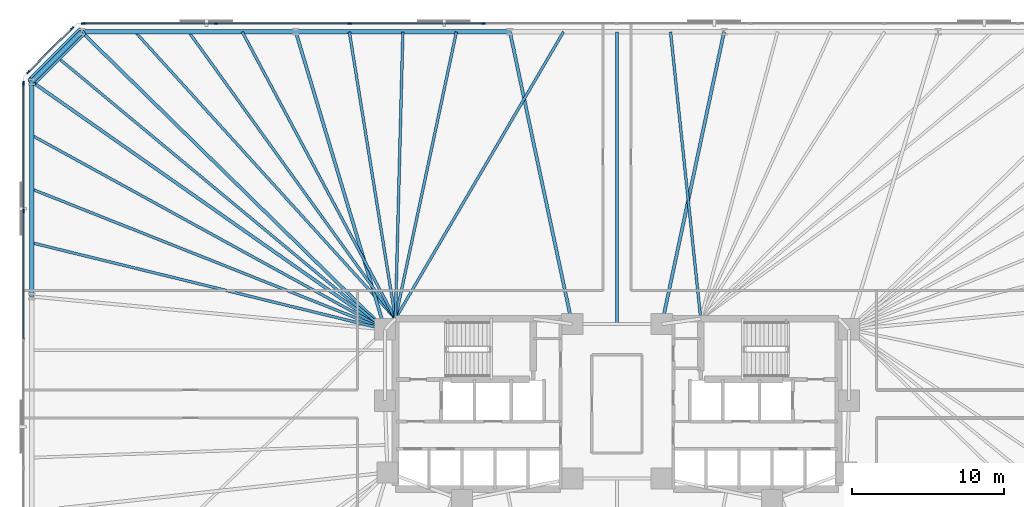
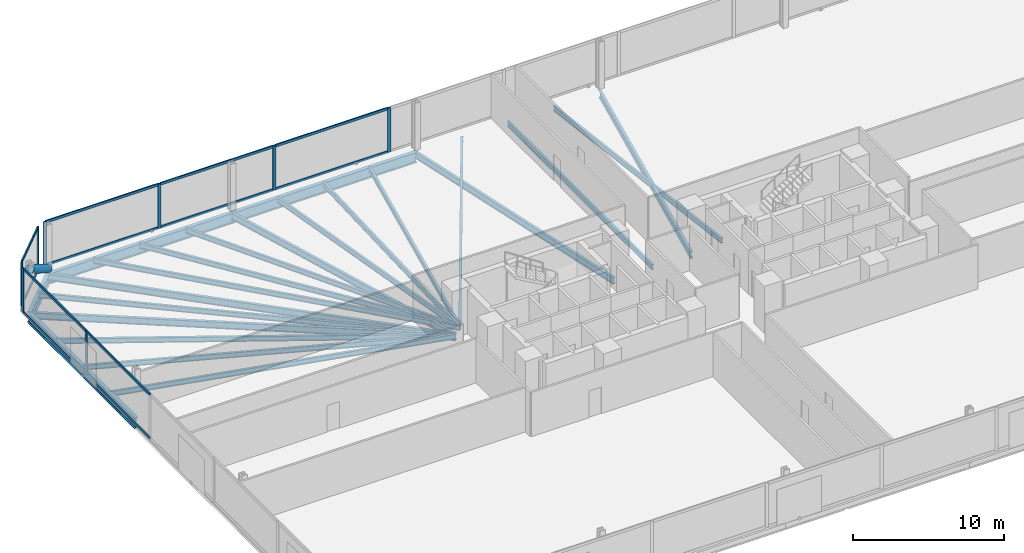
# One storey, part 8 of 16: 22 beams, 21 members, 3 elements without a shape of their own.
"""IFC4 building model written with IfcOpenShell, lengths in metres."""

from ifc_helpers import new_model, si_unit, direction, frame, origin, origin_2d, place, context, subcontext, project, spatial, rectangle, hollow_circle, i_section, extrude, material, material_profile, profile_set, type_object, element, aggregate, save


model = new_model("IFC4")

# Units and contexts
model_context = context("Model", 3, precision=1e-05, world=origin(), true_north=direction((0.0, 1.0)))
body_context = subcontext(model_context, "Body", "Model", "MODEL_VIEW")
ifc_project = project(units=[si_unit("LENGTHUNIT", "METRE"), si_unit("AREAUNIT", "SQUARE_METRE"), si_unit("VOLUMEUNIT", "CUBIC_METRE"), si_unit("PLANEANGLEUNIT", "RADIAN"), si_unit("MASSUNIT", "GRAM", prefix="KILO")], contexts=[model_context])

# Site, building, storey
site_placement = place(None, origin())
site = spatial("IfcSite", under=ifc_project, at=site_placement, CompositionType="ELEMENT")
building_placement = place(site_placement, origin())
building = spatial("IfcBuilding", under=site, at=building_placement, Name="Menara Jurai Vektor", CompositionType="ELEMENT")
storey_placement = place(building_placement, frame((0.0, 0.0, 40.800048828125)))
storey = spatial("IfcBuildingStorey", under=building, at=storey_placement, Name="L09", CompositionType="ELEMENT", Elevation=40.800048828125)

# Curtain wall, members
ifc_material_1 = material(Name="Anodised Pale Aluminium & Low-E Double Glazing", Category="aluminium")
curtain_wall_type = type_object("IfcCurtainWallType", Name="CW-BLK1", PredefinedType="NOTDEFINED", material=ifc_material_1)
curtain_wall_1_placement = place(storey_placement, origin())
curtain_wall_1 = element("IfcCurtainWall", 1, at=curtain_wall_1_placement, inside=storey, type_object=curtain_wall_type, Name="Unitised Curtain Wall L09 F05", PredefinedType="NOTDEFINED")
ifc_material_2 = material(Name="Anodised Pale Aluminium Mullion", Category="aluminium")
ifc_material_profile_1 = material_profile(ifc_material_2, rectangle(XDim=0.094970703125, YDim=0.239990234375, at=origin_2d()), Name="ALU MUL 95x240")
ifc_profile_set_1 = profile_set([ifc_material_profile_1], Name="Anodised Pale Aluminium Mullion")
member_type_1 = type_object("IfcMemberType", Name="CW-BLK1-MUL", PredefinedType="MULLION", material=ifc_profile_set_1)
member_1_placement = place(storey_placement, frame((-8.780029296875, 25.0, 0.0), z_axis=(0.0, 0.0, 1.0), x_axis=(0.0, -1.0, 0.0)))
member_1 = element("IfcMember", 2, at=member_1_placement, type_object=member_type_1, Name="CW-01 mullion 6", PredefinedType="MULLION", context=body_context, shape_type="SweptSolid", body=[
    extrude(rectangle(XDim=0.094970703125, YDim=0.239990234375, at=origin_2d()), origin(), (0.0, 0.0, 1.0), 3.574951171875),
])
member_2_placement = place(storey_placement, frame((-17.56005859375, 25.0, 0.0), z_axis=(0.0, 0.0, 1.0), x_axis=(0.0, -1.0, 0.0)))
member_2 = element("IfcMember", 3, at=member_2_placement, type_object=member_type_1, Name="CW-01 mullion 7", PredefinedType="MULLION", context=body_context, shape_type="SweptSolid", body=[
    extrude(rectangle(XDim=0.094970703125, YDim=0.239990234375, at=origin_2d()), origin(), (0.0, 0.0, 1.0), 3.574951171875),
])
member_3_placement = place(storey_placement, frame((-26.340087890625, 25.0, 0.0), z_axis=(0.0, 0.0, 1.0), x_axis=(0.0, -1.0, 0.0)))
member_3 = element("IfcMember", 4, at=member_3_placement, type_object=member_type_1, Name="CW-01 mullion 8", PredefinedType="MULLION", context=body_context, shape_type="SweptSolid", body=[
    extrude(rectangle(XDim=0.094970703125, YDim=0.239990234375, at=origin_2d()), origin(), (0.0, 0.0, 1.0), 3.574951171875),
])
member_4_placement = place(storey_placement, frame((-35.072509765625, 25.0, 0.0), z_axis=(0.0, 0.0, 1.0), x_axis=(0.0, -1.0, 0.0)))
member_4 = element("IfcMember", 5, at=member_4_placement, type_object=member_type_1, Name="CW-01 mullion 9", PredefinedType="MULLION", context=body_context, shape_type="SweptSolid", body=[
    extrude(rectangle(XDim=0.094970703125, YDim=0.239990234375, at=origin_2d()), origin(), (0.0, 0.0, 1.0), 3.574951171875),
])

curtain_wall_2_placement = place(storey_placement, origin())
curtain_wall_2 = element("IfcCurtainWall", 6, at=curtain_wall_2_placement, inside=storey, type_object=curtain_wall_type, Name="Unitised Curtain Wall L09 F06", PredefinedType="NOTDEFINED")
member_5_placement = place(storey_placement, frame((-35.80224609375, 24.69775390625, 0.0), z_axis=(0.0, 0.0, 1.0), x_axis=(0.707106781187, -0.707106781187, 0.0)))
member_5 = element("IfcMember", 7, at=member_5_placement, type_object=member_type_1, Name="CW-01 mullion 1", PredefinedType="MULLION", context=body_context, shape_type="SweptSolid", body=[
    extrude(rectangle(XDim=0.094970703125, YDim=0.239990234375, at=origin_2d()), origin(), (0.0, 0.0, 1.0), 3.574951171875),
])
member_6_placement = place(storey_placement, frame((-38.69775390625, 21.80224609375, 0.0), z_axis=(0.0, 0.0, 1.0), x_axis=(0.707106781187, -0.707106781187, 0.0)))
member_6 = element("IfcMember", 8, at=member_6_placement, type_object=member_type_1, Name="CW-01 mullion 2", PredefinedType="MULLION", context=body_context, shape_type="SweptSolid", body=[
    extrude(rectangle(XDim=0.094970703125, YDim=0.239990234375, at=origin_2d()), origin(), (0.0, 0.0, 1.0), 3.574951171875),
])

curtain_wall_3_placement = place(storey_placement, origin())
curtain_wall_3 = element("IfcCurtainWall", 9, at=curtain_wall_3_placement, inside=storey, type_object=curtain_wall_type, Name="Unitised Curtain Wall L09 F07", PredefinedType="NOTDEFINED")
member_7_placement = place(storey_placement, frame((-39.0, 21.072509765625, 0.0), z_axis=(0.0, 0.0, 1.0), x_axis=(1.0, 0.0, 0.0)))
member_7 = element("IfcMember", 10, at=member_7_placement, type_object=member_type_1, Name="CW-01 mullion 1", PredefinedType="MULLION", context=body_context, shape_type="SweptSolid", body=[
    extrude(rectangle(XDim=0.094970703125, YDim=0.239990234375, at=origin_2d()), origin(), (0.0, 0.0, 1.0), 3.574951171875),
])
member_8_placement = place(storey_placement, frame((-39.0, 12.672119140625, 0.0), z_axis=(0.0, 0.0, 1.0), x_axis=(1.0, 0.0, 0.0)))
member_8 = element("IfcMember", 11, at=member_8_placement, type_object=member_type_1, Name="CW-01 mullion 2", PredefinedType="MULLION", context=body_context, shape_type="SweptSolid", body=[
    extrude(rectangle(XDim=0.094970703125, YDim=0.239990234375, at=origin_2d()), origin(), (0.0, 0.0, 1.0), 3.574951171875),
])

# Member
ifc_material_3 = material(Name="Anodised Pale Aluminium Transom", Category="aluminium")
ifc_material_profile_2 = material_profile(ifc_material_3, rectangle(XDim=0.094970703125, YDim=0.199951171875, at=origin_2d()), Name="ALU TRN 95x200")
ifc_profile_set_2 = profile_set([ifc_material_profile_2], Name="Anodised Pale Aluminium Transom")
member_type_2 = type_object("IfcMemberType", Name="CW-BLK1-TRN", PredefinedType="USERDEFINED", material=ifc_profile_set_2)
member_9_placement = place(storey_placement, frame((-8.827392578125, 25.0, 0.04736328125), z_axis=(-1.0, 0.0, 0.0), x_axis=(0.0, -1.0, 0.0)))
member_9 = element("IfcMember", 12, at=member_9_placement, type_object=member_type_2, Name="CW-01 transom 6.1", ObjectType="TRANSOM", PredefinedType="USERDEFINED", context=body_context, shape_type="SweptSolid", body=[
    extrude(rectangle(XDim=0.094970703125, YDim=0.199951171875, at=origin_2d()), origin(), (0.0, 0.0, 1.0), 8.68505859375),
])

member_10_placement = place(storey_placement, frame((-8.827392578125, 25.0, 3.52734375), z_axis=(-1.0, 0.0, 0.0), x_axis=(0.0, -1.0, 0.0)))
member_10 = element("IfcMember", 13, at=member_10_placement, type_object=member_type_2, Name="CW-01 transom 6.2", ObjectType="TRANSOM", PredefinedType="USERDEFINED", context=body_context, shape_type="SweptSolid", body=[
    extrude(rectangle(XDim=0.094970703125, YDim=0.199951171875, at=origin_2d()), origin(), (0.0, 0.0, 1.0), 8.68505859375),
])

member_11_placement = place(storey_placement, frame((-17.607421875, 25.0, 0.04736328125), z_axis=(-1.0, 0.0, 0.0), x_axis=(0.0, -1.0, 0.0)))
member_11 = element("IfcMember", 14, at=member_11_placement, type_object=member_type_2, Name="CW-01 transom 7.1", ObjectType="TRANSOM", PredefinedType="USERDEFINED", context=body_context, shape_type="SweptSolid", body=[
    extrude(rectangle(XDim=0.094970703125, YDim=0.199951171875, at=origin_2d()), origin(), (0.0, 0.0, 1.0), 8.68505859375),
])

member_12_placement = place(storey_placement, frame((-17.607421875, 25.0, 3.52734375), z_axis=(-1.0, 0.0, 0.0), x_axis=(0.0, -1.0, 0.0)))
member_12 = element("IfcMember", 15, at=member_12_placement, type_object=member_type_2, Name="CW-01 transom 7.2", ObjectType="TRANSOM", PredefinedType="USERDEFINED", context=body_context, shape_type="SweptSolid", body=[
    extrude(rectangle(XDim=0.094970703125, YDim=0.199951171875, at=origin_2d()), origin(), (0.0, 0.0, 1.0), 8.68505859375),
])

member_13_placement = place(storey_placement, frame((-26.387451171875, 25.0, 0.04736328125), z_axis=(-1.0, 0.0, 0.0), x_axis=(0.0, -1.0, 0.0)))
member_13 = element("IfcMember", 16, at=member_13_placement, type_object=member_type_2, Name="CW-01 transom 8.1", ObjectType="TRANSOM", PredefinedType="USERDEFINED", context=body_context, shape_type="SweptSolid", body=[
    extrude(rectangle(XDim=0.094970703125, YDim=0.199951171875, at=origin_2d()), origin(), (0.0, 0.0, 1.0), 8.637451171875),
])

member_14_placement = place(storey_placement, frame((-26.387451171875, 25.0, 3.52734375), z_axis=(-1.0, 0.0, 0.0), x_axis=(0.0, -1.0, 0.0)))
member_14 = element("IfcMember", 17, at=member_14_placement, type_object=member_type_2, Name="CW-01 transom 8.2", ObjectType="TRANSOM", PredefinedType="USERDEFINED", context=body_context, shape_type="SweptSolid", body=[
    extrude(rectangle(XDim=0.094970703125, YDim=0.199951171875, at=origin_2d()), origin(), (0.0, 0.0, 1.0), 8.637451171875),
])

aggregate(curtain_wall_1, [member_1, member_2, member_3, member_4, member_9, member_10, member_11, member_12, member_13, member_14])

member_15_placement = place(storey_placement, frame((-35.8359375, 24.6640625, 0.04736328125), z_axis=(-0.707106781187, -0.707106781187, 0.0), x_axis=(0.707106781187, -0.707106781187, 0.0)))
member_15 = element("IfcMember", 18, at=member_15_placement, type_object=member_type_2, Name="CW-01 transom 1.1", ObjectType="TRANSOM", PredefinedType="USERDEFINED", context=body_context, shape_type="SweptSolid", body=[
    extrude(rectangle(XDim=0.094970703125, YDim=0.199951171875, at=origin_2d()), origin(), (0.0, 0.0, 1.0), 3.99951171875),
])

member_16_placement = place(storey_placement, frame((-35.8359375, 24.6640625, 3.52734375), z_axis=(-0.707106781187, -0.707106781187, 0.0), x_axis=(0.707106781187, -0.707106781187, 0.0)))
member_16 = element("IfcMember", 19, at=member_16_placement, type_object=member_type_2, Name="CW-01 transom 1.2", ObjectType="TRANSOM", PredefinedType="USERDEFINED", context=body_context, shape_type="SweptSolid", body=[
    extrude(rectangle(XDim=0.094970703125, YDim=0.199951171875, at=origin_2d()), origin(), (0.0, 0.0, 1.0), 3.99951171875),
])

aggregate(curtain_wall_2, [member_5, member_6, member_15, member_16])

member_17_placement = place(storey_placement, frame((-39.0, 21.02490234375, 0.04736328125), z_axis=(0.0, -1.0, 0.0), x_axis=(1.0, 0.0, 0.0)))
member_17 = element("IfcMember", 20, at=member_17_placement, type_object=member_type_2, Name="CW-01 transom 1.1", ObjectType="TRANSOM", PredefinedType="USERDEFINED", context=body_context, shape_type="SweptSolid", body=[
    extrude(rectangle(XDim=0.094970703125, YDim=0.199951171875, at=origin_2d()), origin(), (0.0, 0.0, 1.0), 8.305419921875),
])

member_18_placement = place(storey_placement, frame((-39.0, 21.02490234375, 3.52734375), z_axis=(0.0, -1.0, 0.0), x_axis=(1.0, 0.0, 0.0)))
member_18 = element("IfcMember", 21, at=member_18_placement, type_object=member_type_2, Name="CW-01 transom 1.2", ObjectType="TRANSOM", PredefinedType="USERDEFINED", context=body_context, shape_type="SweptSolid", body=[
    extrude(rectangle(XDim=0.094970703125, YDim=0.199951171875, at=origin_2d()), origin(), (0.0, 0.0, 1.0), 8.305419921875),
])

member_19_placement = place(storey_placement, frame((-39.0, 12.62451171875, 0.04736328125), z_axis=(0.0, -1.0, 0.0), x_axis=(1.0, 0.0, 0.0)))
member_19 = element("IfcMember", 22, at=member_19_placement, type_object=member_type_2, Name="CW-01 transom 2.1", ObjectType="TRANSOM", PredefinedType="USERDEFINED", context=body_context, shape_type="SweptSolid", body=[
    extrude(rectangle(XDim=0.094970703125, YDim=0.199951171875, at=origin_2d()), origin(), (0.0, 0.0, 1.0), 8.35302734375),
])

member_20_placement = place(storey_placement, frame((-39.0, 12.62451171875, 3.52734375), z_axis=(0.0, -1.0, 0.0), x_axis=(1.0, 0.0, 0.0)))
member_20 = element("IfcMember", 23, at=member_20_placement, type_object=member_type_2, Name="CW-01 transom 2.2", ObjectType="TRANSOM", PredefinedType="USERDEFINED", context=body_context, shape_type="SweptSolid", body=[
    extrude(rectangle(XDim=0.094970703125, YDim=0.199951171875, at=origin_2d()), origin(), (0.0, 0.0, 1.0), 8.35302734375),
])

aggregate(curtain_wall_3, [member_7, member_8, member_17, member_18, member_19, member_20])

# Beams
ifc_material_4 = material(Name="Steel S355", Category="steel")
ifc_material_profile_3 = material_profile(ifc_material_4, i_section(OverallWidth=0.2109375, OverallDepth=0.5390625, WebThickness=0.011962890625, FlangeThickness=0.01904296875, FilletRadius=0.012939453125, at=origin_2d()), Name="UKB 533x210x109")
ifc_profile_set_3 = profile_set([ifc_material_profile_3], Name="Steel S355")
beam_type_1 = type_object("IfcBeamType", Name="STR-BM-533", PredefinedType="BEAM", material=ifc_profile_set_3)
for number, where, z_axis, x_axis, name in (
    (24, (7.03564453125, 24.449951171875, -0.49462890625), (-0.2081367579, -0.978099734184, 0.0), (0.978099734184, -0.2081367579, 0.0), "Radial Floor Girder L09-N3"),
    (25, (-7.03564453125, 24.449951171875, -0.49462890625), (0.2081367579, -0.978099734184, 0.0), (0.978099734184, 0.2081367579, 0.0), "Radial Floor Girder L09-N4"),
):
    element("IfcBeam", number, at=place(storey_placement, frame(where, z_axis=z_axis, x_axis=x_axis)), inside=storey, type_object=beam_type_1, Name=name, PredefinedType="BEAM", context=body_context, shape_type="SweptSolid", body=[
        extrude(i_section(OverallWidth=0.2109375, OverallDepth=0.5390625, WebThickness=0.011962890625, FlangeThickness=0.01904296875, FilletRadius=0.012939453125, at=origin_2d()), origin(), (0.0, 0.0, 1.0), 19.6298828125),
    ])
beam_1_placement = place(storey_placement, frame((-21.106689453125, 24.449951171875, -0.49462890625), z_axis=(0.286973617166, -0.957938486047, 0.0), x_axis=(0.957938486047, 0.286973617166, 0.0)))
element("IfcBeam", 26, at=beam_1_placement, inside=storey, type_object=beam_type_1, Name="Radial Floor Girder L09-N5", PredefinedType="BEAM", context=body_context, shape_type="SweptSolid", body=[
    extrude(i_section(OverallWidth=0.2109375, OverallDepth=0.5390625, WebThickness=0.011962890625, FlangeThickness=0.01904296875, FilletRadius=0.012939453125, at=origin_2d()), origin(), (0.0, 0.0, 1.0), 20.408447265625),
])
beam_2_placement = place(storey_placement, frame((-35.177734375, 24.449951171875, -0.49462890625), z_axis=(0.713839032855, -0.700309813706, 0.0), x_axis=(0.700309813706, 0.713839032855, 0.0)))
element("IfcBeam", 27, at=beam_2_placement, inside=storey, type_object=beam_type_1, Name="Radial Floor Girder L09-N6", PredefinedType="BEAM", context=body_context, shape_type="SweptSolid", body=[
    extrude(i_section(OverallWidth=0.2109375, OverallDepth=0.5390625, WebThickness=0.011962890625, FlangeThickness=0.01904296875, FilletRadius=0.012939453125, at=origin_2d()), origin(), (0.0, 0.0, 1.0), 27.916259765625),
])
beam_3_placement = place(storey_placement, frame((-38.449951171875, 21.177734375, -0.49462890625), z_axis=(0.818603732445, -0.574358711283, 0.0), x_axis=(0.574358711283, 0.818603732445, 0.0)))
element("IfcBeam", 28, at=beam_3_placement, inside=storey, type_object=beam_type_1, Name="Radial Floor Girder L09-W1", PredefinedType="BEAM", context=body_context, shape_type="SweptSolid", body=[
    extrude(i_section(OverallWidth=0.2109375, OverallDepth=0.5390625, WebThickness=0.011962890625, FlangeThickness=0.01904296875, FilletRadius=0.012939453125, at=origin_2d()), origin(), (0.0, 0.0, 1.0), 28.3408203125),
])

# Member
ifc_material_5 = material(Name="Steel S460", Category="steel")
ifc_material_profile_4 = material_profile(ifc_material_5, hollow_circle(Radius=0.304931640625, WallThickness=0.02490234375, at=origin_2d()), Name="CHS 610x25")
ifc_profile_set_4 = profile_set([ifc_material_profile_4], Name="Steel S460")
member_type_3 = type_object("IfcMemberType", Name="STR-BR-610", PredefinedType="BRACE", material=ifc_profile_set_4)
member_21_placement = place(storey_placement, frame((-35.177734375, 24.449951171875, 0.14990234375), z_axis=(-0.588942422958, -0.588942422958, 0.553438022619), x_axis=(0.707106781187, -0.707106781187, 0.0)))
element("IfcMember", 29, at=member_21_placement, inside=storey, type_object=member_type_3, Name="Exoskeleton Corner Brace L09-3", PredefinedType="BRACE", context=body_context, shape_type="SweptSolid", body=[
    extrude(hollow_circle(Radius=0.304931640625, WallThickness=0.02490234375, at=origin_2d()), origin(), (0.0, 0.0, 1.0), 5.55615234375),
])

# Beams
ifc_material_profile_5 = material_profile(ifc_material_4, i_section(OverallWidth=0.178955078125, OverallDepth=0.408935546875, WebThickness=0.009033203125, FlangeThickness=0.013916015625, FilletRadius=0.010009765625, at=origin_2d()), Name="UKB 406x178x67")
ifc_profile_set_5 = profile_set([ifc_material_profile_5], Name="Steel S355")
beam_type_2 = type_object("IfcBeamType", Name="STR-JS-406", PredefinedType="JOIST", material=ifc_profile_set_5)
beam_4_placement = place(storey_placement, frame((3.517822265625, 24.449951171875, -0.429443359375), z_axis=(0.104579513969, -0.994516528399, 0.0), x_axis=(0.994516528399, 0.104579513969, 0.0)))
element("IfcBeam", 30, at=beam_4_placement, inside=storey, type_object=beam_type_2, Name="Radial Secondary Floor Joist L09-JS22", PredefinedType="JOIST", context=body_context, shape_type="SweptSolid", body=[
    extrude(i_section(OverallWidth=0.178955078125, OverallDepth=0.408935546875, WebThickness=0.009033203125, FlangeThickness=0.013916015625, FilletRadius=0.010009765625, at=origin_2d()), origin(), (0.0, 0.0, 1.0), 18.953857421875),
])
beam_5_placement = place(storey_placement, frame((0.0, 24.449951171875, -0.429443359375), z_axis=(0.0, -1.0, 0.0), x_axis=(1.0, 0.0, 0.0)))
element("IfcBeam", 31, at=beam_5_placement, inside=storey, type_object=beam_type_2, Name="Radial Secondary Floor Joist L09-JS23", PredefinedType="JOIST", context=body_context, shape_type="SweptSolid", body=[
    extrude(i_section(OverallWidth=0.178955078125, OverallDepth=0.408935546875, WebThickness=0.009033203125, FlangeThickness=0.013916015625, FilletRadius=0.010009765625, at=origin_2d()), origin(), (0.0, 0.0, 1.0), 19.199951171875),
])
beam_6_placement = place(storey_placement, frame((-3.517822265625, 24.449951171875, -0.429443359375), z_axis=(-0.505457909797, -0.862851262631, 0.0), x_axis=(0.862851262631, -0.505457909797, 0.0)))
element("IfcBeam", 32, at=beam_6_placement, inside=storey, type_object=beam_type_2, Name="Radial Secondary Floor Joist L09-JS24", PredefinedType="JOIST", context=body_context, shape_type="SweptSolid", body=[
    extrude(i_section(OverallWidth=0.178955078125, OverallDepth=0.408935546875, WebThickness=0.009033203125, FlangeThickness=0.013916015625, FilletRadius=0.010009765625, at=origin_2d()), origin(), (0.0, 0.0, 1.0), 21.845947265625),
])
beam_7_placement = place(storey_placement, frame((-10.55322265625, 24.449951171875, -0.429443359375), z_axis=(-0.207920423262, -0.978145744555, 0.0), x_axis=(0.978145744555, -0.207920423262, 0.0)))
element("IfcBeam", 33, at=beam_7_placement, inside=storey, type_object=beam_type_2, Name="Radial Secondary Floor Joist L09-JS25", PredefinedType="JOIST", context=body_context, shape_type="SweptSolid", body=[
    extrude(i_section(OverallWidth=0.178955078125, OverallDepth=0.408935546875, WebThickness=0.009033203125, FlangeThickness=0.013916015625, FilletRadius=0.010009765625, at=origin_2d()), origin(), (0.0, 0.0, 1.0), 19.27099609375),
])
beam_8_placement = place(storey_placement, frame((-14.071044921875, 24.449951171875, -0.429443359375), z_axis=(-0.02593384597, -0.999663661255, 0.0), x_axis=(0.999663661255, -0.02593384597, 0.0)))
element("IfcBeam", 34, at=beam_8_placement, inside=storey, type_object=beam_type_2, Name="Radial Secondary Floor Joist L09-JS26", PredefinedType="JOIST", context=body_context, shape_type="SweptSolid", body=[
    extrude(i_section(OverallWidth=0.178955078125, OverallDepth=0.408935546875, WebThickness=0.009033203125, FlangeThickness=0.013916015625, FilletRadius=0.010009765625, at=origin_2d()), origin(), (0.0, 0.0, 1.0), 18.856201171875),
])
beam_9_placement = place(storey_placement, frame((-17.5888671875, 24.449951171875, -0.429443359375), z_axis=(0.158645817656, -0.987335558227, 0.0), x_axis=(0.987335558227, 0.158645817656, 0.0)))
element("IfcBeam", 35, at=beam_9_placement, inside=storey, type_object=beam_type_2, Name="Radial Secondary Floor Joist L09-JS27", PredefinedType="JOIST", context=body_context, shape_type="SweptSolid", body=[
    extrude(i_section(OverallWidth=0.178955078125, OverallDepth=0.408935546875, WebThickness=0.009033203125, FlangeThickness=0.013916015625, FilletRadius=0.010009765625, at=origin_2d()), origin(), (0.0, 0.0, 1.0), 19.091552734375),
])
beam_10_placement = place(storey_placement, frame((-24.62451171875, 24.449951171875, -0.429443359375), z_axis=(0.470996174599, -0.882135252392, 0.0), x_axis=(0.882135252392, 0.470996174599, 0.0)))
element("IfcBeam", 36, at=beam_10_placement, inside=storey, type_object=beam_type_2, Name="Radial Secondary Floor Joist L09-JS28", PredefinedType="JOIST", context=body_context, shape_type="SweptSolid", body=[
    extrude(i_section(OverallWidth=0.178955078125, OverallDepth=0.408935546875, WebThickness=0.009033203125, FlangeThickness=0.013916015625, FilletRadius=0.010009765625, at=origin_2d()), origin(), (0.0, 0.0, 1.0), 21.368408203125),
])
beam_11_placement = place(storey_placement, frame((-28.142333984375, 24.449951171875, -0.429443359375), z_axis=(0.584598948369, -0.811322420229, 0.0), x_axis=(0.811322420229, 0.584598948369, 0.0)))
element("IfcBeam", 37, at=beam_11_placement, inside=storey, type_object=beam_type_2, Name="Radial Secondary Floor Joist L09-JS29", PredefinedType="JOIST", context=body_context, shape_type="SweptSolid", body=[
    extrude(i_section(OverallWidth=0.178955078125, OverallDepth=0.408935546875, WebThickness=0.009033203125, FlangeThickness=0.013916015625, FilletRadius=0.010009765625, at=origin_2d()), origin(), (0.0, 0.0, 1.0), 23.2333984375),
])
beam_12_placement = place(storey_placement, frame((-31.659912109375, 24.449951171875, -0.429443359375), z_axis=(0.671889844346, -0.740651089964, 0.0), x_axis=(0.740651089964, 0.671889844346, 0.0)))
element("IfcBeam", 38, at=beam_12_placement, inside=storey, type_object=beam_type_2, Name="Radial Secondary Floor Joist L09-JS30", PredefinedType="JOIST", context=body_context, shape_type="SweptSolid", body=[
    extrude(i_section(OverallWidth=0.178955078125, OverallDepth=0.408935546875, WebThickness=0.009033203125, FlangeThickness=0.013916015625, FilletRadius=0.010009765625, at=origin_2d()), origin(), (0.0, 0.0, 1.0), 25.450439453125),
])
beam_13_placement = place(storey_placement, frame((-36.81396484375, 22.81396484375, -0.429443359375), z_axis=(0.769201173096, -0.639006694259, 0.0), x_axis=(0.639006694259, 0.769201173096, 0.0)))
element("IfcBeam", 39, at=beam_13_placement, inside=storey, type_object=beam_type_2, Name="Radial Secondary Floor Joist L09-JS31", PredefinedType="JOIST", context=body_context, shape_type="SweptSolid", body=[
    extrude(i_section(OverallWidth=0.178955078125, OverallDepth=0.408935546875, WebThickness=0.009033203125, FlangeThickness=0.013916015625, FilletRadius=0.010009765625, at=origin_2d()), origin(), (0.0, 0.0, 1.0), 28.0341796875),
])
beam_14_placement = place(storey_placement, frame((-38.449951171875, 17.648193359375, -0.429443359375), z_axis=(0.87640219057, -0.481579900291, 0.0), x_axis=(0.481579900291, 0.87640219057, 0.0)))
element("IfcBeam", 40, at=beam_14_placement, inside=storey, type_object=beam_type_2, Name="Radial Secondary Floor Joist L09-JS32", PredefinedType="JOIST", context=body_context, shape_type="SweptSolid", body=[
    extrude(i_section(OverallWidth=0.178955078125, OverallDepth=0.408935546875, WebThickness=0.009033203125, FlangeThickness=0.013916015625, FilletRadius=0.010009765625, at=origin_2d()), origin(), (0.0, 0.0, 1.0), 26.471923828125),
])
beam_15_placement = place(storey_placement, frame((-38.449951171875, 14.118408203125, -0.429443359375), z_axis=(0.929323400723, -0.369266864027, 0.0), x_axis=(0.369266864027, 0.929323400723, 0.0)))
element("IfcBeam", 41, at=beam_15_placement, inside=storey, type_object=beam_type_2, Name="Radial Secondary Floor Joist L09-JS33", PredefinedType="JOIST", context=body_context, shape_type="SweptSolid", body=[
    extrude(i_section(OverallWidth=0.178955078125, OverallDepth=0.408935546875, WebThickness=0.009033203125, FlangeThickness=0.013916015625, FilletRadius=0.010009765625, at=origin_2d()), origin(), (0.0, 0.0, 1.0), 24.96435546875),
])
beam_16_placement = place(storey_placement, frame((-38.449951171875, 10.5888671875, -0.429443359375), z_axis=(0.971226234641, -0.238158772976, 0.0), x_axis=(0.238158772976, 0.971226234641, 0.0)))
element("IfcBeam", 42, at=beam_16_placement, inside=storey, type_object=beam_type_2, Name="Radial Secondary Floor Joist L09-JS34", PredefinedType="JOIST", context=body_context, shape_type="SweptSolid", body=[
    extrude(i_section(OverallWidth=0.178955078125, OverallDepth=0.408935546875, WebThickness=0.009033203125, FlangeThickness=0.013916015625, FilletRadius=0.010009765625, at=origin_2d()), origin(), (0.0, 0.0, 1.0), 23.88720703125),
])
ifc_material_profile_6 = material_profile(ifc_material_5, i_section(OverallWidth=0.2939453125, OverallDepth=0.85107421875, WebThickness=0.01611328125, FlangeThickness=0.027099609375, FilletRadius=0.01806640625, at=origin_2d()), Name="UKB 838x292x226")
ifc_profile_set_6 = profile_set([ifc_material_profile_6], Name="Steel S460")
beam_type_3 = type_object("IfcBeamType", Name="STR-SP-838", PredefinedType="SPANDREL", material=ifc_profile_set_6)
for number, where, z_axis, x_axis, name in (
    (43, (-7.03564453125, 24.449951171875, -0.650634765625), (-1.0, 0.0, 0.0), (0.0, -1.0, 0.0), "Exoskeleton Spandrel Beam L09-14"),
    (44, (-21.106689453125, 24.449951171875, -0.650634765625), (-1.0, 0.0, 0.0), (0.0, -1.0, 0.0), "Exoskeleton Spandrel Beam L09-15"),
):
    element("IfcBeam", number, at=place(storey_placement, frame(where, z_axis=z_axis, x_axis=x_axis)), inside=storey, type_object=beam_type_3, Name=name, PredefinedType="SPANDREL", context=body_context, shape_type="SweptSolid", body=[
        extrude(i_section(OverallWidth=0.2939453125, OverallDepth=0.85107421875, WebThickness=0.01611328125, FlangeThickness=0.027099609375, FilletRadius=0.01806640625, at=origin_2d()), origin(), (0.0, 0.0, 1.0), 14.071044921875),
    ])
beam_17_placement = place(storey_placement, frame((-35.177734375, 24.449951171875, -0.650634765625), z_axis=(-0.707106781187, -0.707106781187, 0.0), x_axis=(0.707106781187, -0.707106781187, 0.0)))
element("IfcBeam", 45, at=beam_17_placement, inside=storey, type_object=beam_type_3, Name="Exoskeleton Spandrel Beam L09-16", PredefinedType="SPANDREL", context=body_context, shape_type="SweptSolid", body=[
    extrude(i_section(OverallWidth=0.2939453125, OverallDepth=0.85107421875, WebThickness=0.01611328125, FlangeThickness=0.027099609375, FilletRadius=0.01806640625, at=origin_2d()), origin(), (0.0, 0.0, 1.0), 4.627685546875),
])
beam_18_placement = place(storey_placement, frame((-38.449951171875, 21.177734375, -0.650634765625), z_axis=(0.0, -1.0, 0.0), x_axis=(1.0, 0.0, 0.0)))
element("IfcBeam", 46, at=beam_18_placement, inside=storey, type_object=beam_type_3, Name="Exoskeleton Spandrel Beam L09-17", PredefinedType="SPANDREL", context=body_context, shape_type="SweptSolid", body=[
    extrude(i_section(OverallWidth=0.2939453125, OverallDepth=0.85107421875, WebThickness=0.01611328125, FlangeThickness=0.027099609375, FilletRadius=0.01806640625, at=origin_2d()), origin(), (0.0, 0.0, 1.0), 14.118408203125),
])

save(model, "model.ifc")
